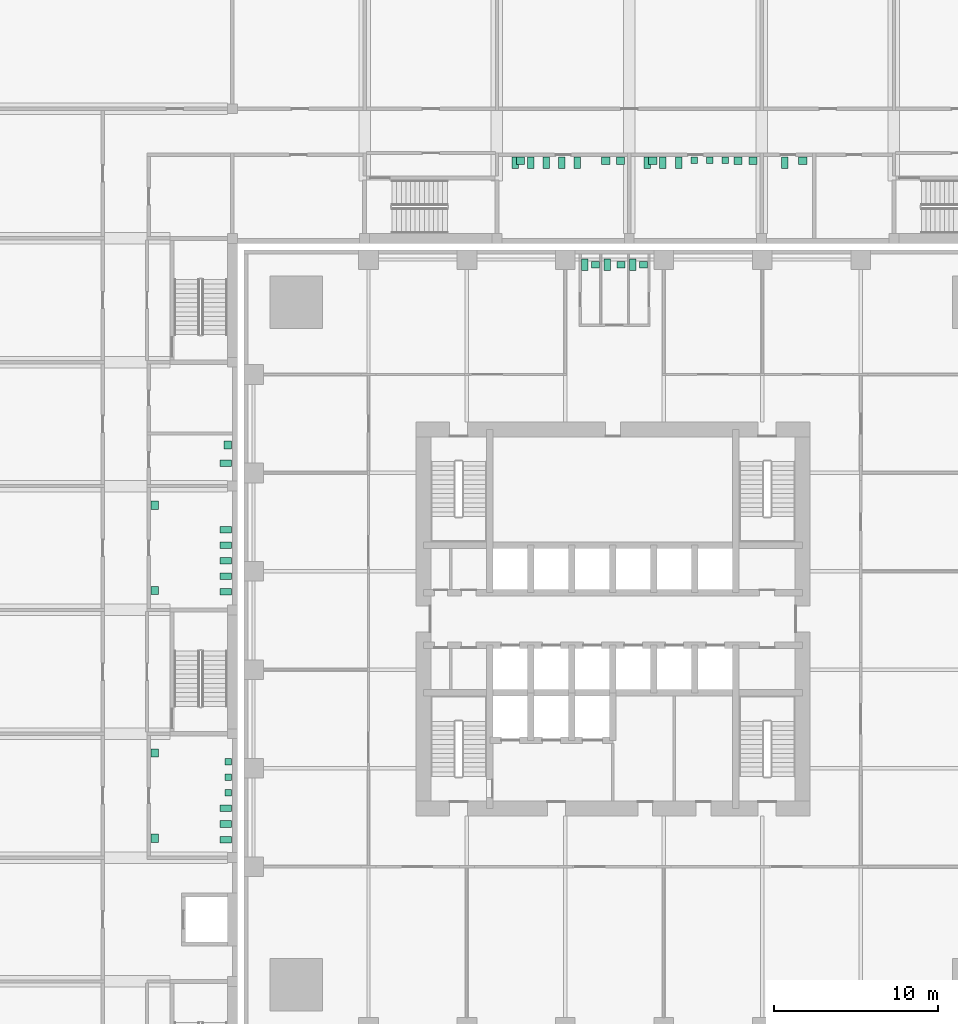
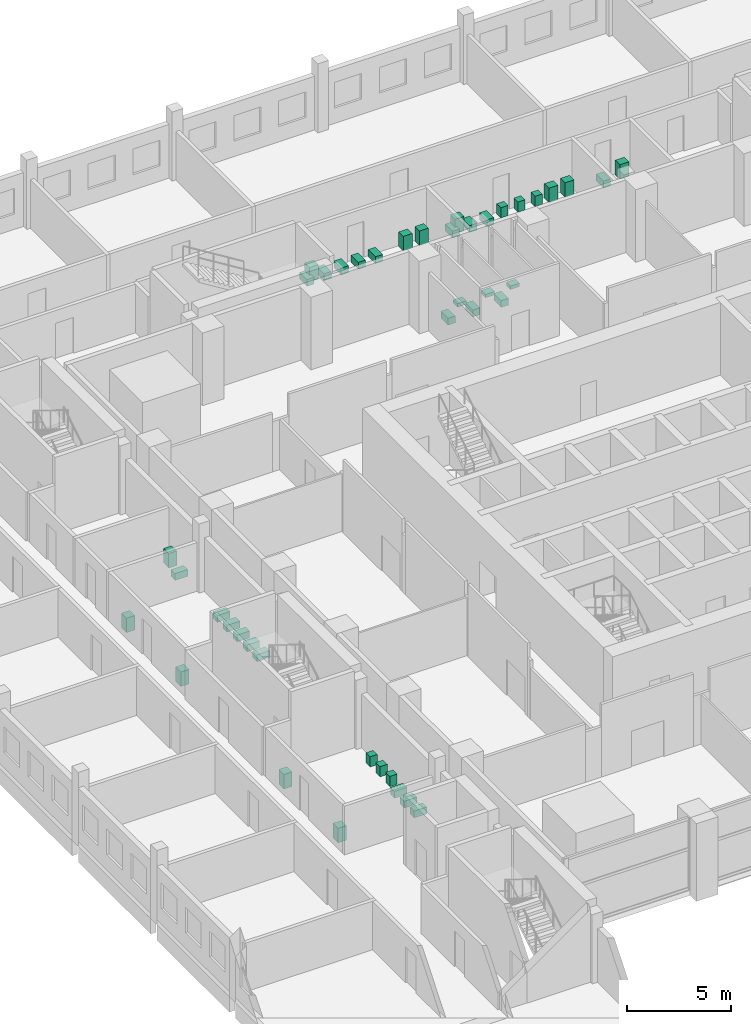
# One storey, part 24 of 24: 42 sanitary terminals.
"""IFC4 building model written with IfcOpenShell, lengths in metres."""

from ifc_helpers import new_model, si_unit, direction, frame, origin, origin_2d, place, context, subcontext, project, spatial, rectangle, extrude, element, save


model = new_model("IFC4")

# Units and contexts
model_context = context("Model", 3, precision=1e-05, world=origin(), true_north=direction((0.0, 1.0)))
body_context = subcontext(model_context, "Body", "Model", "MODEL_VIEW")
ifc_project = project(units=[si_unit("LENGTHUNIT", "METRE"), si_unit("AREAUNIT", "SQUARE_METRE"), si_unit("VOLUMEUNIT", "CUBIC_METRE"), si_unit("PLANEANGLEUNIT", "RADIAN"), si_unit("MASSUNIT", "GRAM", prefix="KILO")], contexts=[model_context])

# Site, building, storey
site_placement = place(None, origin())
site = spatial("IfcSite", under=ifc_project, at=site_placement, CompositionType="ELEMENT")
building_placement = place(site_placement, origin())
building = spatial("IfcBuilding", under=site, at=building_placement, Name="Amberfall Residences", CompositionType="ELEMENT")
storey_placement = place(building_placement, frame((0.0, 0.0, 19.0)))
storey = spatial("IfcBuildingStorey", under=building, at=storey_placement, Name="L04", CompositionType="ELEMENT", Elevation=19.0)

# Sanitary terminals
sanitary_terminal_1_placement = place(storey_placement, frame((72.780029296875, 67.10009765625, 0.0), z_axis=(0.0, 0.0, 1.0), x_axis=(1.0, 0.0, 0.0)))
element("IfcSanitaryTerminal", 1, at=sanitary_terminal_1_placement, inside=storey, Name="WC pan Gents WC L04", PredefinedType="TOILETPAN", context=body_context, shape_type="SweptSolid", body=[
    extrude(rectangle(XDim=0.39990234375, YDim=0.699951171875, at=origin_2d()), origin(), (0.0, 0.0, 1.0), 0.39990234375),
])
sanitary_terminal_2_placement = place(storey_placement, frame((73.429931640625, 67.10009765625, 0.75), z_axis=(0.0, 0.0, 1.0), x_axis=(1.0, 0.0, 0.0)))
element("IfcSanitaryTerminal", 2, at=sanitary_terminal_2_placement, inside=storey, Name="Wash basin Gents WC L04", PredefinedType="WASHHANDBASIN", context=body_context, shape_type="SweptSolid", body=[
    extrude(rectangle(XDim=0.5, YDim=0.39990234375, at=origin_2d()), origin(), (0.0, 0.0, 1.0), 0.199951171875),
])
sanitary_terminal_3_placement = place(storey_placement, frame((74.14501953125, 67.10009765625, 0.0), z_axis=(0.0, 0.0, 1.0), x_axis=(1.0, 0.0, 0.0)))
element("IfcSanitaryTerminal", 3, at=sanitary_terminal_3_placement, inside=storey, Name="WC pan Accessible WC L04", PredefinedType="TOILETPAN", context=body_context, shape_type="SweptSolid", body=[
    extrude(rectangle(XDim=0.39990234375, YDim=0.699951171875, at=origin_2d()), origin(), (0.0, 0.0, 1.0), 0.39990234375),
])
sanitary_terminal_4_placement = place(storey_placement, frame((74.989990234375, 67.10009765625, 0.75), z_axis=(0.0, 0.0, 1.0), x_axis=(1.0, 0.0, 0.0)))
element("IfcSanitaryTerminal", 4, at=sanitary_terminal_4_placement, inside=storey, Name="Wash basin Accessible WC L04", PredefinedType="WASHHANDBASIN", context=body_context, shape_type="SweptSolid", body=[
    extrude(rectangle(XDim=0.5, YDim=0.39990234375, at=origin_2d()), origin(), (0.0, 0.0, 1.0), 0.199951171875),
])
sanitary_terminal_5_placement = place(storey_placement, frame((75.719970703125, 67.10009765625, 0.0), z_axis=(0.0, 0.0, 1.0), x_axis=(1.0, 0.0, 0.0)))
element("IfcSanitaryTerminal", 5, at=sanitary_terminal_5_placement, inside=storey, Name="WC pan Ladies WC L04", PredefinedType="TOILETPAN", context=body_context, shape_type="SweptSolid", body=[
    extrude(rectangle(XDim=0.39990234375, YDim=0.699951171875, at=origin_2d()), origin(), (0.0, 0.0, 1.0), 0.39990234375),
])
sanitary_terminal_6_placement = place(storey_placement, frame((76.3701171875, 67.10009765625, 0.75), z_axis=(0.0, 0.0, 1.0), x_axis=(1.0, 0.0, 0.0)))
element("IfcSanitaryTerminal", 6, at=sanitary_terminal_6_placement, inside=storey, Name="Wash basin Ladies WC L04", PredefinedType="WASHHANDBASIN", context=body_context, shape_type="SweptSolid", body=[
    extrude(rectangle(XDim=0.5, YDim=0.39990234375, at=origin_2d()), origin(), (0.0, 0.0, 1.0), 0.199951171875),
])
for number, where, z_axis, x_axis, name in (
    (7, (50.89990234375, 32.050048828125, 0.0), (0.0, 0.0, 1.0), (1.0, 0.0, 0.0), "Water closet"),
    (8, (50.89990234375, 33.0, 0.0), (0.0, 0.0, 1.0), (1.0, 0.0, 0.0), "Water closet"),
    (9, (50.89990234375, 33.949951171875, 0.0), (0.0, 0.0, 1.0), (1.0, 0.0, 0.0), "Water closet"),
):
    element("IfcSanitaryTerminal", number, at=place(storey_placement, frame(where, z_axis=z_axis, x_axis=x_axis)), inside=storey, Name=name, PredefinedType="TOILETPAN", context=body_context, shape_type="SweptSolid", body=[
        extrude(rectangle(XDim=0.699951171875, YDim=0.39990234375, at=origin_2d()), origin(), (0.0, 0.0, 1.0), 0.39990234375),
    ])
for number, where, z_axis, x_axis, name in (
    (10, (51.050048828125, 34.89990234375, 0.0), (0.0, 0.0, 1.0), (1.0, 0.0, 0.0), "Urinal"),
    (11, (51.050048828125, 35.85009765625, 0.0), (0.0, 0.0, 1.0), (1.0, 0.0, 0.0), "Urinal"),
    (12, (51.050048828125, 36.800048828125, 0.0), (0.0, 0.0, 1.0), (1.0, 0.0, 0.0), "Urinal"),
):
    element("IfcSanitaryTerminal", number, at=place(storey_placement, frame(where, z_axis=z_axis, x_axis=x_axis)), inside=storey, Name=name, PredefinedType="URINAL", context=body_context, shape_type="SweptSolid", body=[
        extrude(rectangle(XDim=0.39990234375, YDim=0.39990234375, at=origin_2d()), origin(), (0.0, 0.0, 1.0), 0.60009765625),
    ])
for number, where, z_axis, x_axis, name in (
    (13, (46.574951171875, 32.125, 0.0), (0.0, 0.0, 1.0), (1.0, 0.0, 0.0), "Basin"),
    (14, (46.574951171875, 37.324951171875, 0.0), (0.0, 0.0, 1.0), (1.0, 0.0, 0.0), "Basin"),
):
    element("IfcSanitaryTerminal", number, at=place(storey_placement, frame(where, z_axis=z_axis, x_axis=x_axis)), inside=storey, Name=name, PredefinedType="WASHHANDBASIN", context=body_context, shape_type="SweptSolid", body=[
        extrude(rectangle(XDim=0.449951171875, YDim=0.5, at=origin_2d()), origin(), (0.0, 0.0, 1.0), 0.85009765625),
    ])
for number, where, z_axis, x_axis, name in (
    (15, (50.89990234375, 47.14990234375, 0.0), (0.0, 0.0, 1.0), (1.0, 0.0, 0.0), "Water closet"),
    (16, (50.89990234375, 48.10009765625, 0.0), (0.0, 0.0, 1.0), (1.0, 0.0, 0.0), "Water closet"),
    (17, (50.89990234375, 49.050048828125, 0.0), (0.0, 0.0, 1.0), (1.0, 0.0, 0.0), "Water closet"),
    (18, (50.89990234375, 50.0, 0.0), (0.0, 0.0, 1.0), (1.0, 0.0, 0.0), "Water closet"),
    (19, (50.89990234375, 50.949951171875, 0.0), (0.0, 0.0, 1.0), (1.0, 0.0, 0.0), "Water closet"),
):
    element("IfcSanitaryTerminal", number, at=place(storey_placement, frame(where, z_axis=z_axis, x_axis=x_axis)), inside=storey, Name=name, PredefinedType="TOILETPAN", context=body_context, shape_type="SweptSolid", body=[
        extrude(rectangle(XDim=0.699951171875, YDim=0.39990234375, at=origin_2d()), origin(), (0.0, 0.0, 1.0), 0.39990234375),
    ])
for number, where, z_axis, x_axis, name in (
    (20, (46.574951171875, 47.22509765625, 0.0), (0.0, 0.0, 1.0), (1.0, 0.0, 0.0), "Basin"),
    (21, (46.574951171875, 52.425048828125, 0.0), (0.0, 0.0, 1.0), (1.0, 0.0, 0.0), "Basin"),
):
    element("IfcSanitaryTerminal", number, at=place(storey_placement, frame(where, z_axis=z_axis, x_axis=x_axis)), inside=storey, Name=name, PredefinedType="WASHHANDBASIN", context=body_context, shape_type="SweptSolid", body=[
        extrude(rectangle(XDim=0.449951171875, YDim=0.5, at=origin_2d()), origin(), (0.0, 0.0, 1.0), 0.85009765625),
    ])
sanitary_terminal_7_placement = place(storey_placement, frame((50.89990234375, 55.0, 0.0), z_axis=(0.0, 0.0, 1.0), x_axis=(1.0, 0.0, 0.0)))
element("IfcSanitaryTerminal", 22, at=sanitary_terminal_7_placement, inside=storey, Name="Water closet", PredefinedType="TOILETPAN", context=body_context, shape_type="SweptSolid", body=[
    extrude(rectangle(XDim=0.699951171875, YDim=0.39990234375, at=origin_2d()), origin(), (0.0, 0.0, 1.0), 0.39990234375),
])
sanitary_terminal_8_placement = place(storey_placement, frame((51.02490234375, 56.10009765625, 0.0), z_axis=(0.0, 0.0, 1.0), x_axis=(1.0, 0.0, 0.0)))
element("IfcSanitaryTerminal", 23, at=sanitary_terminal_8_placement, inside=storey, Name="Basin", PredefinedType="WASHHANDBASIN", context=body_context, shape_type="SweptSolid", body=[
    extrude(rectangle(XDim=0.449951171875, YDim=0.5, at=origin_2d()), origin(), (0.0, 0.0, 1.0), 0.85009765625),
])
for number, where, z_axis, x_axis, name in (
    (24, (68.532958984375, 73.300048828125, 0.0), (0.0, 0.0, 1.0), (1.0, 0.0, 0.0), "Water closet"),
    (25, (69.48291015625, 73.300048828125, 0.0), (0.0, 0.0, 1.0), (1.0, 0.0, 0.0), "Water closet"),
    (26, (70.43310546875, 73.300048828125, 0.0), (0.0, 0.0, 1.0), (1.0, 0.0, 0.0), "Water closet"),
    (27, (71.383056640625, 73.300048828125, 0.0), (0.0, 0.0, 1.0), (1.0, 0.0, 0.0), "Water closet"),
    (28, (72.3330078125, 73.300048828125, 0.0), (0.0, 0.0, 1.0), (1.0, 0.0, 0.0), "Water closet"),
):
    element("IfcSanitaryTerminal", number, at=place(storey_placement, frame(where, z_axis=z_axis, x_axis=x_axis)), inside=storey, Name=name, PredefinedType="TOILETPAN", context=body_context, shape_type="SweptSolid", body=[
        extrude(rectangle(XDim=0.39990234375, YDim=0.699951171875, at=origin_2d()), origin(), (0.0, 0.0, 1.0), 0.39990234375),
    ])
for number, where, z_axis, x_axis, name in (
    (29, (68.866455078125, 73.425048828125, 0.0), (0.0, 0.0, 1.0), (1.0, 0.0, 0.0), "Basin"),
    (30, (74.06640625, 73.425048828125, 0.0), (0.0, 0.0, 1.0), (1.0, 0.0, 0.0), "Basin"),
    (31, (74.966552734375, 73.425048828125, 0.0), (0.0, 0.0, 1.0), (1.0, 0.0, 0.0), "Basin"),
):
    element("IfcSanitaryTerminal", number, at=place(storey_placement, frame(where, z_axis=z_axis, x_axis=x_axis)), inside=storey, Name=name, PredefinedType="WASHHANDBASIN", context=body_context, shape_type="SweptSolid", body=[
        extrude(rectangle(XDim=0.5, YDim=0.449951171875, at=origin_2d()), origin(), (0.0, 0.0, 1.0), 0.85009765625),
    ])
for number, where, z_axis, x_axis, name in (
    (32, (76.60009765625, 73.300048828125, 0.0), (0.0, 0.0, 1.0), (1.0, 0.0, 0.0), "Water closet"),
    (33, (77.550048828125, 73.300048828125, 0.0), (0.0, 0.0, 1.0), (1.0, 0.0, 0.0), "Water closet"),
    (34, (78.5, 73.300048828125, 0.0), (0.0, 0.0, 1.0), (1.0, 0.0, 0.0), "Water closet"),
):
    element("IfcSanitaryTerminal", number, at=place(storey_placement, frame(where, z_axis=z_axis, x_axis=x_axis)), inside=storey, Name=name, PredefinedType="TOILETPAN", context=body_context, shape_type="SweptSolid", body=[
        extrude(rectangle(XDim=0.39990234375, YDim=0.699951171875, at=origin_2d()), origin(), (0.0, 0.0, 1.0), 0.39990234375),
    ])
for number, where, z_axis, x_axis, name in (
    (35, (79.449951171875, 73.449951171875, 0.0), (0.0, 0.0, 1.0), (1.0, 0.0, 0.0), "Urinal"),
    (36, (80.39990234375, 73.449951171875, 0.0), (0.0, 0.0, 1.0), (1.0, 0.0, 0.0), "Urinal"),
    (37, (81.35009765625, 73.449951171875, 0.0), (0.0, 0.0, 1.0), (1.0, 0.0, 0.0), "Urinal"),
):
    element("IfcSanitaryTerminal", number, at=place(storey_placement, frame(where, z_axis=z_axis, x_axis=x_axis)), inside=storey, Name=name, PredefinedType="URINAL", context=body_context, shape_type="SweptSolid", body=[
        extrude(rectangle(XDim=0.39990234375, YDim=0.39990234375, at=origin_2d()), origin(), (0.0, 0.0, 1.0), 0.60009765625),
    ])
for number, where, z_axis, x_axis, name in (
    (38, (76.93359375, 73.425048828125, 0.0), (0.0, 0.0, 1.0), (1.0, 0.0, 0.0), "Basin"),
    (39, (82.133544921875, 73.425048828125, 0.0), (0.0, 0.0, 1.0), (1.0, 0.0, 0.0), "Basin"),
    (40, (83.033447265625, 73.425048828125, 0.0), (0.0, 0.0, 1.0), (1.0, 0.0, 0.0), "Basin"),
):
    element("IfcSanitaryTerminal", number, at=place(storey_placement, frame(where, z_axis=z_axis, x_axis=x_axis)), inside=storey, Name=name, PredefinedType="WASHHANDBASIN", context=body_context, shape_type="SweptSolid", body=[
        extrude(rectangle(XDim=0.5, YDim=0.449951171875, at=origin_2d()), origin(), (0.0, 0.0, 1.0), 0.85009765625),
    ])
sanitary_terminal_9_placement = place(storey_placement, frame((84.967041015625, 73.300048828125, 0.0), z_axis=(0.0, 0.0, 1.0), x_axis=(1.0, 0.0, 0.0)))
element("IfcSanitaryTerminal", 41, at=sanitary_terminal_9_placement, inside=storey, Name="Water closet", PredefinedType="TOILETPAN", context=body_context, shape_type="SweptSolid", body=[
    extrude(rectangle(XDim=0.39990234375, YDim=0.699951171875, at=origin_2d()), origin(), (0.0, 0.0, 1.0), 0.39990234375),
])
sanitary_terminal_10_placement = place(storey_placement, frame((86.06689453125, 73.425048828125, 0.0), z_axis=(0.0, 0.0, 1.0), x_axis=(1.0, 0.0, 0.0)))
element("IfcSanitaryTerminal", 42, at=sanitary_terminal_10_placement, inside=storey, Name="Basin", PredefinedType="WASHHANDBASIN", context=body_context, shape_type="SweptSolid", body=[
    extrude(rectangle(XDim=0.5, YDim=0.449951171875, at=origin_2d()), origin(), (0.0, 0.0, 1.0), 0.85009765625),
])

save(model, "model.ifc")
